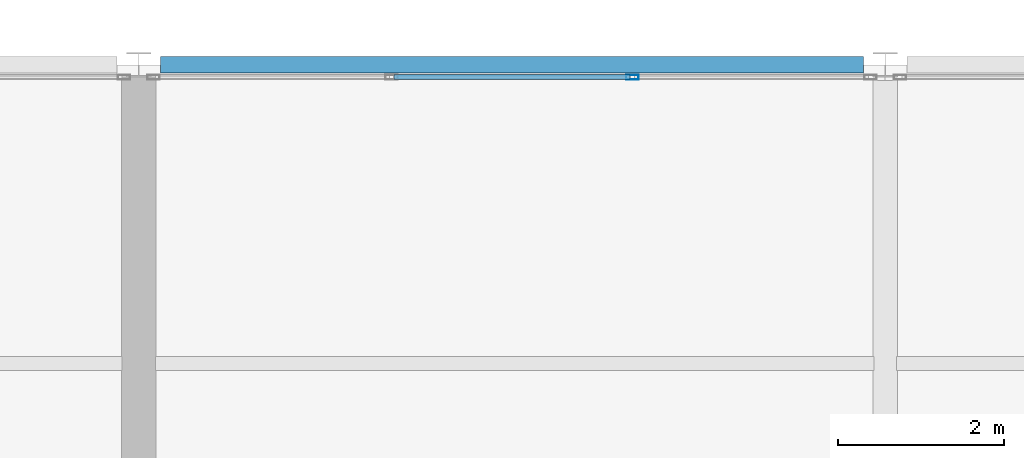
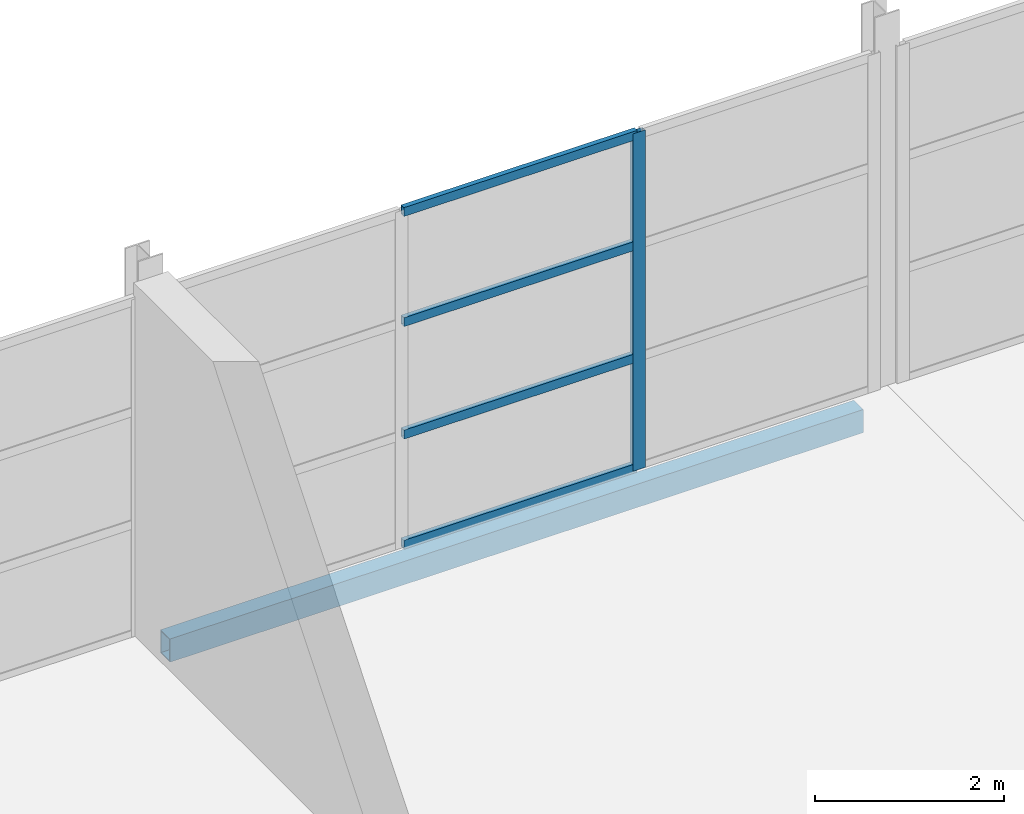
# One storey, part 56 of 134: 5 members, 1 beam, 1 element without a shape of its own.
"""IFC4 building model written with IfcOpenShell, lengths in metres."""

import ifcopenshell
import ifcopenshell.guid

model = None  # the IFC model being written
_history = None  # IfcOwnerHistory: only IFC2X3 demands one
_inside = {}  # id of a spatial element -> (the spatial element, [elements in it])
_under = {}  # id of a project, library or spatial element -> (it, [spatial elements below it])
_declared = {}  # id of a project -> (the project, [libraries it declares])
_typed = {}  # id of a type object -> (the type object, [elements of that type])
_made_of = {}  # id of a material, layer set ... -> (it, [elements and type objects made of it])


def new_model(schema):
    """Start an empty IFC model of exactly this schema.

    Asked for "IFC4X3", IfcOpenShell would pick the latest addendum, in which some entities
    have other attributes; the version numbers below select the first issue.
    IFC2X3 requires an IfcOwnerHistory on every rooted entity: one is made here for all.
    """
    global model, _history
    if schema == "IFC4X3":
        model = ifcopenshell.file(schema_version=(4, 3, 0, 0))
    else:
        model = ifcopenshell.file(schema=schema)
    _inside.clear()
    _under.clear()
    _declared.clear()
    _typed.clear()
    _made_of.clear()
    _history = None
    if model.schema == "IFC2X3":
        org = make("IfcOrganization", Name="unknown")
        user = make(
            "IfcPersonAndOrganization",
            ThePerson=make("IfcPerson", FamilyName="unknown"),
            TheOrganization=org,
        )
        app = make(
            "IfcApplication",
            ApplicationDeveloper=org,
            Version="unknown",
            ApplicationFullName="unknown",
            ApplicationIdentifier="unknown",
        )
        _history = make(
            "IfcOwnerHistory",
            OwningUser=user,
            OwningApplication=app,
            ChangeAction="ADDED",
            CreationDate=0,
        )
    return model


def make(cls, **values):
    """One entity of the class cls with the attributes given. An attribute that is None is left unset."""
    return model.create_entity(
        cls, **{name: value for name, value in values.items() if value is not None}
    )


def rooted(cls, **values):
    """An entity with a GlobalId (a new one), such as an element, a storey or a relation."""
    return make(cls, GlobalId=ifcopenshell.guid.new(), OwnerHistory=_history, **values)


def si_unit(unit_type, name, prefix=None):
    """IfcSIUnit, for example si_unit("LENGTHUNIT", "METRE", prefix="MILLI")."""
    return make("IfcSIUnit", UnitType=unit_type, Prefix=prefix, Name=name)


def assignment(units):
    """IfcUnitAssignment: the units of a project."""
    return None if units is None else make("IfcUnitAssignment", Units=units)


def point(xyz):
    """IfcCartesianPoint."""
    return None if xyz is None else make("IfcCartesianPoint", Coordinates=xyz)


def direction(xyz):
    """IfcDirection."""
    return None if xyz is None else make("IfcDirection", DirectionRatios=xyz)


def frame(location, z_axis=None, x_axis=None):
    """IfcAxis2Placement3D, a coordinate frame: its origin and axes. An axis left out is left unset."""
    return make(
        "IfcAxis2Placement3D",
        Location=point(location),
        Axis=direction(z_axis),
        RefDirection=direction(x_axis),
    )


def frame_2d(location, x_axis=None):
    """IfcAxis2Placement2D, a coordinate frame in the plane: its origin and x axis."""
    return make(
        "IfcAxis2Placement2D", Location=point(location), RefDirection=direction(x_axis)
    )


def origin():
    """The frame at (0, 0, 0) with its axes left unset."""
    return frame((0.0, 0.0, 0.0))


def origin_2d():
    """The frame at (0, 0) in the plane with its x axis left unset."""
    return frame_2d((0.0, 0.0))


def place(relative_to, where):
    """IfcLocalPlacement: puts the frame where relative to a parent placement (None: the world)."""
    return make(
        "IfcLocalPlacement", PlacementRelTo=relative_to, RelativePlacement=where
    )


def context(
    kind, dimensions, precision=None, world=None, true_north=None, identifier=None
):
    """IfcGeometricRepresentationContext, for example the 3D "Model" context."""
    return make(
        "IfcGeometricRepresentationContext",
        ContextIdentifier=identifier,
        ContextType=kind,
        CoordinateSpaceDimension=dimensions,
        Precision=precision,
        WorldCoordinateSystem=world,
        TrueNorth=true_north,
    )


def subcontext(parent, identifier, kind, view, scale=None):
    """IfcGeometricRepresentationSubContext, for example "Body" below "Model"."""
    return make(
        "IfcGeometricRepresentationSubContext",
        ContextIdentifier=identifier,
        ContextType=kind,
        ParentContext=parent,
        TargetScale=scale,
        TargetView=view,
    )


def project(units=None, contexts=None):
    """IfcProject with its units and contexts."""
    return rooted(
        "IfcProject",
        Name="project",
        RepresentationContexts=contexts,
        UnitsInContext=assignment(units),
    )


def spatial(cls, under=None, at=None, **own):
    """A site, building, storey or space (cls), placed at a placement, below another one or the project."""
    s = rooted(cls, ObjectPlacement=at, **own)
    if under is not None:
        _under.setdefault(under.id(), (under, []))[1].append(s)
    return s


def profile(cls, at=None, kind="AREA", **sizes):
    """A parametric profile (cls). Its sizes go by their IFC names, for example OverallWidth=200.0."""
    return make(cls, ProfileType=kind, Position=at, **sizes)


def hollow_rectangle(**sizes):
    """IfcRectangleHollowProfileDef."""
    return profile("IfcRectangleHollowProfileDef", **sizes)


def extrude(swept, where, along, depth):
    """IfcExtrudedAreaSolid: the profile swept, set in the frame where, extruded along a direction by depth."""
    return make(
        "IfcExtrudedAreaSolid",
        SweptArea=swept,
        Position=where,
        ExtrudedDirection=direction(along),
        Depth=depth,
    )


def shape(context_of_items, identifier, shape_type, items):
    """IfcShapeRepresentation: the items that make up one representation, for example the "Body"."""
    return make(
        "IfcShapeRepresentation",
        ContextOfItems=context_of_items,
        RepresentationIdentifier=identifier,
        RepresentationType=shape_type,
        Items=items,
    )


def material(Name=None, Category=None):
    """IfcMaterial."""
    return make("IfcMaterial", Name=Name, Category=Category)


def layer(
    of_material, thickness, ventilated=None, Name=None, Category=None, Priority=None
):
    """IfcMaterialLayer: one layer of a wall or slab, of a material (None: an air gap)."""
    return make(
        "IfcMaterialLayer",
        Material=of_material,
        LayerThickness=thickness,
        IsVentilated=ventilated,
        Name=Name,
        Category=Category,
        Priority=Priority,
    )


def layer_set(layers, Name=None):
    """IfcMaterialLayerSet."""
    return make("IfcMaterialLayerSet", MaterialLayers=layers, LayerSetName=Name)


def material_profile(
    of_material, cross_section, Name=None, Category=None, Priority=None
):
    """IfcMaterialProfile: a cross section and its material."""
    return make(
        "IfcMaterialProfile",
        Name=Name,
        Material=of_material,
        Profile=cross_section,
        Priority=Priority,
        Category=Category,
    )


def profile_set(profiles, Name=None, composite=None):
    """IfcMaterialProfileSet."""
    return make(
        "IfcMaterialProfileSet",
        Name=Name,
        MaterialProfiles=profiles,
        CompositeProfile=composite,
    )


def made_of(thing, what):
    """Note that an element or type object is made of a material, layer set ...; save() writes the relation."""
    if what is not None:
        _made_of.setdefault(what.id(), (what, []))[1].append(thing)
    return thing


def type_object(cls, material=None, **own):
    """A type object (cls), such as IfcWallType, which elements share."""
    return made_of(rooted(cls, **own), material)


def element(
    cls,
    number,
    at=None,
    inside=None,
    cuts=None,
    type_object=None,
    material=None,
    context=None,
    identifier="Body",
    shape_type=None,
    held_by="IfcProductDefinitionShape",
    body=None,
    shapes=None,
    **own,
):
    """One element of the class cls, such as IfcWall. Its Tag is "e" and its number.

    at: its placement. inside: the storey or other place that contains it. cuts: it is an
    opening in that element (IfcRelVoidsElement). A single representation is given by context,
    identifier, shape_type and body (its items); several are given by shapes. held_by: the class
    of the entity that holds the representations. save() writes the other relations.
    """
    e = rooted(cls, Tag="e%d" % number, ObjectPlacement=at, **own)
    if body is not None:
        shapes = [shape(context, identifier, shape_type, body)]
    if shapes is not None:
        e.Representation = make(held_by, Representations=shapes)
    if inside is not None:
        _inside.setdefault(inside.id(), (inside, []))[1].append(e)
    if cuts is not None:
        rooted(
            "IfcRelVoidsElement", RelatingBuildingElement=cuts, RelatedOpeningElement=e
        )
    if type_object is not None:
        _typed.setdefault(type_object.id(), (type_object, []))[1].append(e)
    return made_of(e, material)


def aggregate(whole, parts):
    """IfcRelAggregates: a whole, such as a stair, and the parts it consists of."""
    return rooted("IfcRelAggregates", RelatingObject=whole, RelatedObjects=parts)


def save(model, path):
    """Write the relations noted so far, then the file.

    IfcRelAggregates (storeys below a building ...), IfcRelContainedInSpatialStructure (elements
    in a storey), IfcRelDefinesByType, IfcRelAssociatesMaterial and IfcRelDeclares: one each for
    every whole, place, type object, material and project.
    """
    for whole, parts in _under.values():
        aggregate(whole, parts)
    for where, things in _inside.values():
        rooted(
            "IfcRelContainedInSpatialStructure",
            RelatedElements=things,
            RelatingStructure=where,
        )
    for kind, things in _typed.values():
        rooted("IfcRelDefinesByType", RelatedObjects=things, RelatingType=kind)
    for what, things in _made_of.values():
        rooted("IfcRelAssociatesMaterial", RelatedObjects=things, RelatingMaterial=what)
    for by, libraries in _declared.values():
        rooted("IfcRelDeclares", RelatingContext=by, RelatedDefinitions=libraries)
    model.write(path)


model = new_model("IFC4")

# Units and contexts
model_context = context("Model", 3, precision=1e-05, world=origin(), true_north=direction((0.0, 1.0)))
body_context = subcontext(model_context, "Body", "Model", "MODEL_VIEW")
ifc_project = project(units=[si_unit("LENGTHUNIT", "METRE"), si_unit("AREAUNIT", "SQUARE_METRE"), si_unit("VOLUMEUNIT", "CUBIC_METRE"), si_unit("PLANEANGLEUNIT", "RADIAN"), si_unit("MASSUNIT", "GRAM", prefix="KILO")], contexts=[model_context])

# Site, building, storey
site_placement = place(None, origin())
site = spatial("IfcSite", under=ifc_project, at=site_placement, CompositionType="ELEMENT")
building_placement = place(site_placement, origin())
building = spatial("IfcBuilding", under=site, at=building_placement, Name="Tamarisk Ironworks Central Station", CompositionType="ELEMENT")
storey_placement = place(building_placement, frame((0.0, 0.0, 12.60009765625)))
storey = spatial("IfcBuildingStorey", under=building, at=storey_placement, Name="L02", CompositionType="ELEMENT", Elevation=12.60009765625)

# Beam
ifc_material_1 = material(Name="Structural steel S355J2", Category="steel")
ifc_material_profile_1 = material_profile(ifc_material_1, hollow_rectangle(XDim=0.199951171875, YDim=0.300048828125, WallThickness=0.011962890625, at=origin_2d()), Name="RHS 300x200x12")
ifc_profile_set_1 = profile_set([ifc_material_profile_1], Name="Structural steel S355J2")
beam_type = type_object("IfcBeamType", Name="BM-SP02", PredefinedType="SPANDREL", material=ifc_profile_set_1)
beam_placement = place(storey_placement, frame((9.262939453125, 122.39990234375, -0.400146484375), z_axis=(1.0, 0.0, 0.0), x_axis=(0.0, 1.0, 0.0)))
element("IfcBeam", 1, at=beam_placement, inside=storey, type_object=beam_type, Name="L02 primary girder X-0407", PredefinedType="SPANDREL", context=body_context, shape_type="SweptSolid", body=[
    extrude(hollow_rectangle(XDim=0.199951171875, YDim=0.300048828125, WallThickness=0.011962890625, at=origin_2d()), origin(), (0.0, 0.0, 1.0), 8.47412109375),
])

# Curtain wall, members
ifc_material_2 = material(Name="Anodized aluminium alloy 6063-T6", Category="aluminium")
ifc_layer = layer(ifc_material_2, 0.179931640625)
ifc_layer_set = layer_set([ifc_layer], Name="Anodized aluminium alloy 6063-T6")
curtain_wall_type = type_object("IfcCurtainWallType", Name="CW-14", PredefinedType="USERDEFINED", material=ifc_layer_set)
curtain_wall_placement = place(storey_placement, origin())
curtain_wall = element("IfcCurtainWall", 2, at=curtain_wall_placement, inside=storey, type_object=curtain_wall_type, Name="Pavilion L02 N glazed arcade 09", ObjectType="GLAZED CURTAIN WALL", PredefinedType="USERDEFINED")
ifc_material_profile_2 = material_profile(ifc_material_2, hollow_rectangle(XDim=0.06005859375, YDim=0.14990234375, WallThickness=0.00341796875, at=origin_2d()), Name="ALUM 150x60")
ifc_profile_set_2 = profile_set([ifc_material_profile_2], Name="Anodized aluminium alloy 6063-T6")
member_type_1 = type_object("IfcMemberType", Name="CWM-03", PredefinedType="MULLION", material=ifc_profile_set_2)
member_1_placement = place(storey_placement, frame((14.95068359375, 122.25, 0.0), z_axis=(0.0, 0.0, 1.0), x_axis=(0.0, 1.0, 0.0)))
member_1 = element("IfcMember", 3, at=member_1_placement, type_object=member_type_1, Name="CW14 mullion 3", PredefinedType="MULLION", context=body_context, shape_type="SweptSolid", body=[
    extrude(hollow_rectangle(XDim=0.06005859375, YDim=0.14990234375, WallThickness=0.00341796875, at=origin_2d()), origin(), (0.0, 0.0, 1.0), 4.35986328125),
])
ifc_material_profile_3 = material_profile(ifc_material_2, hollow_rectangle(XDim=0.06005859375, YDim=0.114990234375, WallThickness=0.00341796875, at=origin_2d()), Name="ALUM 115x60")
ifc_profile_set_3 = profile_set([ifc_material_profile_3], Name="Anodized aluminium alloy 6063-T6")
member_type_2 = type_object("IfcMemberType", Name="CWT-03", PredefinedType="USERDEFINED", material=ifc_profile_set_3)
member_2_placement = place(storey_placement, frame((12.075439453125, 122.25, 0.02978515625), z_axis=(1.0, 0.0, 0.0), x_axis=(0.0, 1.0, 0.0)))
member_2 = element("IfcMember", 4, at=member_2_placement, type_object=member_type_2, Name="CW14 transom 2.1", ObjectType="TRANSOM", PredefinedType="USERDEFINED", context=body_context, shape_type="SweptSolid", body=[
    extrude(hollow_rectangle(XDim=0.06005859375, YDim=0.114990234375, WallThickness=0.00341796875, at=origin_2d()), origin(), (0.0, 0.0, 1.0), 2.84912109375),
])
member_3_placement = place(storey_placement, frame((12.075439453125, 122.25, 1.453125), z_axis=(1.0, 0.0, 0.0), x_axis=(0.0, 1.0, 0.0)))
member_3 = element("IfcMember", 5, at=member_3_placement, type_object=member_type_2, Name="CW14 transom 2.2", ObjectType="TRANSOM", PredefinedType="USERDEFINED", context=body_context, shape_type="SweptSolid", body=[
    extrude(hollow_rectangle(XDim=0.06005859375, YDim=0.114990234375, WallThickness=0.00341796875, at=origin_2d()), origin(), (0.0, 0.0, 1.0), 2.84912109375),
])
member_4_placement = place(storey_placement, frame((12.075439453125, 122.25, 2.906494140625), z_axis=(1.0, 0.0, 0.0), x_axis=(0.0, 1.0, 0.0)))
member_4 = element("IfcMember", 6, at=member_4_placement, type_object=member_type_2, Name="CW14 transom 2.3", ObjectType="TRANSOM", PredefinedType="USERDEFINED", context=body_context, shape_type="SweptSolid", body=[
    extrude(hollow_rectangle(XDim=0.06005859375, YDim=0.114990234375, WallThickness=0.00341796875, at=origin_2d()), origin(), (0.0, 0.0, 1.0), 2.84912109375),
])
member_5_placement = place(storey_placement, frame((12.075439453125, 122.25, 4.329833984375), z_axis=(1.0, 0.0, 0.0), x_axis=(0.0, 1.0, 0.0)))
member_5 = element("IfcMember", 7, at=member_5_placement, type_object=member_type_2, Name="CW14 transom 2.4", ObjectType="TRANSOM", PredefinedType="USERDEFINED", context=body_context, shape_type="SweptSolid", body=[
    extrude(hollow_rectangle(XDim=0.06005859375, YDim=0.114990234375, WallThickness=0.00341796875, at=origin_2d()), origin(), (0.0, 0.0, 1.0), 2.84912109375),
])
aggregate(curtain_wall, [member_1, member_2, member_3, member_4, member_5])

save(model, "model.ifc")
